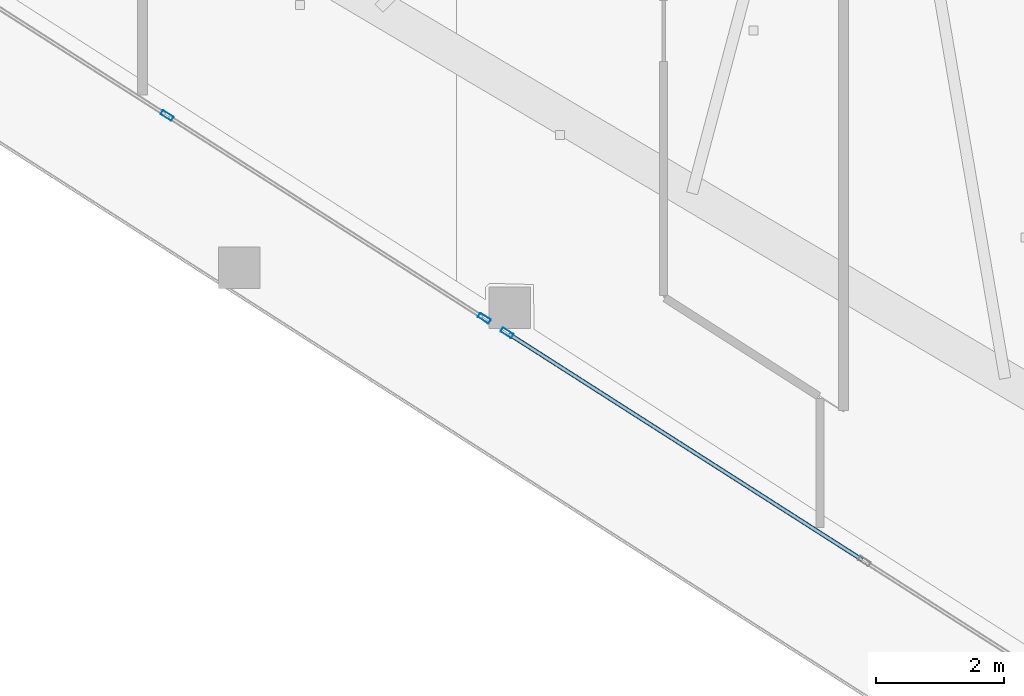
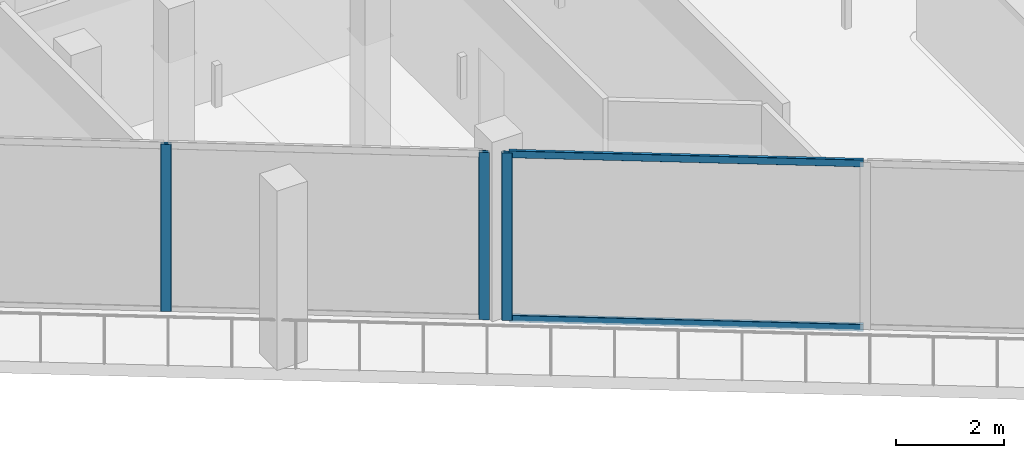
# One storey, part 2 of 38: 5 members, 2 elements without a shape of their own.
"""IFC4 building model written with IfcOpenShell, lengths in metres."""

from ifc_helpers import new_model, si_unit, direction, frame, origin, origin_2d, place, context, subcontext, project, spatial, hollow_rectangle, extrude, material, layer, layer_set, material_profile, profile_set, type_object, element, aggregate, save


model = new_model("IFC4")

# Units and contexts
model_context = context("Model", 3, precision=1e-05, world=origin(), true_north=direction((0.0, 1.0)))
body_context = subcontext(model_context, "Body", "Model", "MODEL_VIEW")
ifc_project = project(units=[si_unit("LENGTHUNIT", "METRE"), si_unit("AREAUNIT", "SQUARE_METRE"), si_unit("VOLUMEUNIT", "CUBIC_METRE"), si_unit("PLANEANGLEUNIT", "RADIAN"), si_unit("MASSUNIT", "GRAM", prefix="KILO")], contexts=[model_context])

# Site, building, storey
site_placement = place(None, origin())
site = spatial("IfcSite", under=ifc_project, at=site_placement, CompositionType="ELEMENT")
building_placement = place(site_placement, origin())
building = spatial("IfcBuilding", under=site, at=building_placement, Name="Qorvath Tower", CompositionType="ELEMENT")
storey_placement = place(building_placement, frame((0.0, 0.0, 158.39990234375)))
storey = spatial("IfcBuildingStorey", under=building, at=storey_placement, Name="L36", CompositionType="ELEMENT", Elevation=158.39990234375)

# Curtain wall, members
ifc_material_1 = material(Name="Anodised aluminium and triple low-E glass", Category="aluminium")
ifc_layer = layer(ifc_material_1, 0.179931640625)
ifc_layer_set = layer_set([ifc_layer], Name="CW-SYS-5")
curtain_wall_type = type_object("IfcCurtainWallType", Name="CW-SYS-5", PredefinedType="NOTDEFINED", material=ifc_layer_set)
curtain_wall_1_placement = place(storey_placement, origin())
curtain_wall_1 = element("IfcCurtainWall", 1, at=curtain_wall_1_placement, inside=storey, type_object=curtain_wall_type, Name="Curtain Wall CW-5 CW-T-L36-18.1", PredefinedType="NOTDEFINED")
ifc_material_2 = material(Name="Anodised aluminium 6063-T6", Category="aluminium")
ifc_material_profile_1 = material_profile(ifc_material_2, hollow_rectangle(XDim=0.074951171875, YDim=0.199951171875, WallThickness=0.00390625, InnerFilletRadius=0.00390625, OuterFilletRadius=0.008056640625, at=origin_2d()), Name="CWM 200x75")
ifc_profile_set_1 = profile_set([ifc_material_profile_1], Name="Anodised aluminium 6063-T6")
member_type_1 = type_object("IfcMemberType", Name="CWM-200", PredefinedType="MULLION", material=ifc_profile_set_1)
member_1_placement = place(storey_placement, frame((-36.38525390625, -16.447509765625, 0.0), z_axis=(0.0, 0.0, 1.0), x_axis=(0.5385386818, 0.842600788159, 0.0)))
member_1 = element("IfcMember", 2, at=member_1_placement, type_object=member_type_1, Name="CW-5 mullion 5", PredefinedType="MULLION", context=body_context, shape_type="SweptSolid", body=[
    extrude(hollow_rectangle(XDim=0.074951171875, YDim=0.199951171875, WallThickness=0.00390625, InnerFilletRadius=0.00390625, OuterFilletRadius=0.008056640625, at=origin_2d()), origin(), (0.0, 0.0, 1.0), 3.780029296875),
])
member_2_placement = place(storey_placement, frame((-31.41748046875, -19.62255859375, 0.0), z_axis=(0.0, 0.0, 1.0), x_axis=(0.5385386818, 0.842600788159, 0.0)))
member_2 = element("IfcMember", 3, at=member_2_placement, type_object=member_type_1, Name="CW-5 mullion 6", PredefinedType="MULLION", context=body_context, shape_type="SweptSolid", body=[
    extrude(hollow_rectangle(XDim=0.074951171875, YDim=0.199951171875, WallThickness=0.00390625, InnerFilletRadius=0.00390625, OuterFilletRadius=0.008056640625, at=origin_2d()), origin(), (0.0, 0.0, 1.0), 3.780029296875),
])
aggregate(curtain_wall_1, [member_1, member_2])

curtain_wall_2_placement = place(storey_placement, origin())
curtain_wall_2 = element("IfcCurtainWall", 4, at=curtain_wall_2_placement, inside=storey, type_object=curtain_wall_type, Name="Curtain Wall CW-5 CW-T-L36-18.2", PredefinedType="NOTDEFINED")
member_3_placement = place(storey_placement, frame((-31.060791015625, -19.8505859375, 0.0), z_axis=(0.0, 0.0, 1.0), x_axis=(0.538541706926, 0.842598854676, 0.0)))
member_3 = element("IfcMember", 5, at=member_3_placement, type_object=member_type_1, Name="CW-5 mullion 1", PredefinedType="MULLION", context=body_context, shape_type="SweptSolid", body=[
    extrude(hollow_rectangle(XDim=0.074951171875, YDim=0.199951171875, WallThickness=0.00390625, InnerFilletRadius=0.00390625, OuterFilletRadius=0.008056640625, at=origin_2d()), origin(), (0.0, 0.0, 1.0), 3.780029296875),
])
ifc_material_3 = material(Name="Anodised aluminium 6063-T6", Category="aluminium")
ifc_material_profile_2 = material_profile(ifc_material_3, hollow_rectangle(XDim=0.06494140625, YDim=0.159912109375, WallThickness=0.00341796875, InnerFilletRadius=0.00341796875, OuterFilletRadius=0.007080078125, at=origin_2d()), Name="CWT 160x65")
ifc_profile_set_2 = profile_set([ifc_material_profile_2], Name="Anodised aluminium 6063-T6")
member_type_2 = type_object("IfcMemberType", Name="CWT-160", PredefinedType="USERDEFINED", material=ifc_profile_set_2)
member_4_placement = place(storey_placement, frame((-31.029296875, -19.87060546875, 0.032470703125), z_axis=(0.842600165294, -0.538539656337, 0.0), x_axis=(0.538539656337, 0.842600165294, 0.0)))
member_4 = element("IfcMember", 6, at=member_4_placement, type_object=member_type_2, Name="CW-5 transom 1.1", ObjectType="TRANSOM", PredefinedType="USERDEFINED", context=body_context, shape_type="SweptSolid", body=[
    extrude(hollow_rectangle(XDim=0.06494140625, YDim=0.159912109375, WallThickness=0.00341796875, InnerFilletRadius=0.00341796875, OuterFilletRadius=0.007080078125, at=origin_2d()), origin(), (0.0, 0.0, 1.0), 6.564697265625),
])
member_5_placement = place(storey_placement, frame((-31.029296875, -19.87060546875, 3.74755859375), z_axis=(0.842600165294, -0.538539656337, 0.0), x_axis=(0.538539656337, 0.842600165294, 0.0)))
member_5 = element("IfcMember", 7, at=member_5_placement, type_object=member_type_2, Name="CW-5 transom 1.2", ObjectType="TRANSOM", PredefinedType="USERDEFINED", context=body_context, shape_type="SweptSolid", body=[
    extrude(hollow_rectangle(XDim=0.06494140625, YDim=0.159912109375, WallThickness=0.00341796875, InnerFilletRadius=0.00341796875, OuterFilletRadius=0.007080078125, at=origin_2d()), origin(), (0.0, 0.0, 1.0), 6.564697265625),
])
aggregate(curtain_wall_2, [member_3, member_4, member_5])

save(model, "model.ifc")
